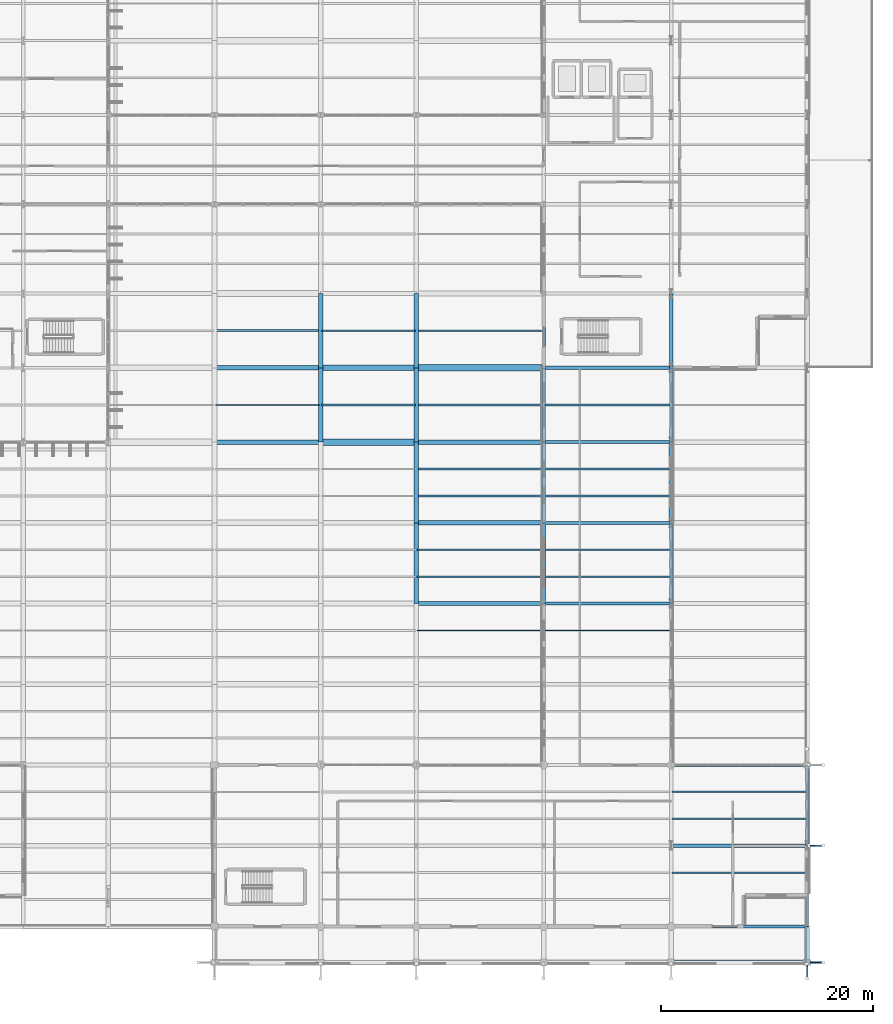
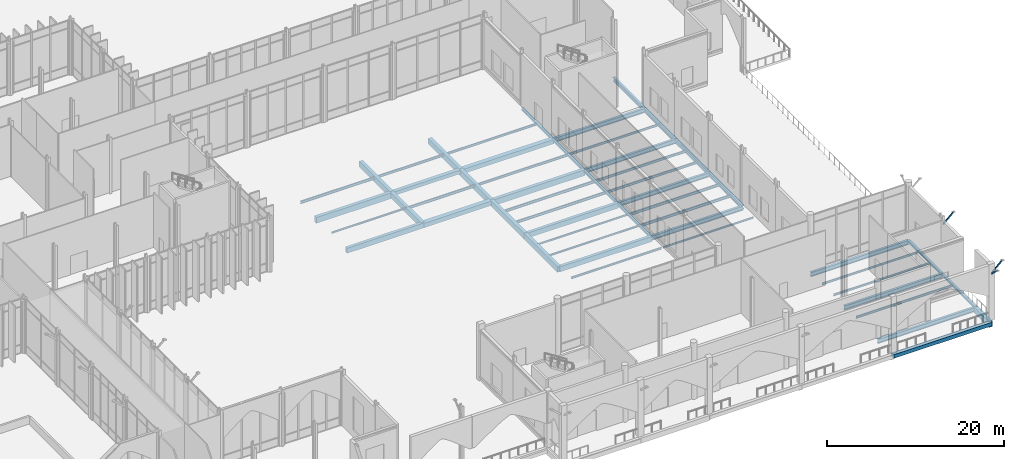
# One storey, part 90 of 176: 53 beams, 3 members.
"""IFC4 building model written with IfcOpenShell, lengths in metres."""

from ifc_helpers import new_model, si_unit, direction, frame, origin, origin_2d, place, context, subcontext, project, spatial, rectangle, hollow_rectangle, i_section, extrude, material, material_profile, profile_set, type_object, element, save


model = new_model("IFC4")

# Units and contexts
model_context = context("Model", 3, precision=1e-05, world=origin(), true_north=direction((0.0, 1.0)))
body_context = subcontext(model_context, "Body", "Model", "MODEL_VIEW")
ifc_project = project(units=[si_unit("LENGTHUNIT", "METRE"), si_unit("AREAUNIT", "SQUARE_METRE"), si_unit("VOLUMEUNIT", "CUBIC_METRE"), si_unit("PLANEANGLEUNIT", "RADIAN"), si_unit("MASSUNIT", "GRAM", prefix="KILO")], contexts=[model_context])

# Site, building, storey
site_placement = place(None, origin())
site = spatial("IfcSite", under=ifc_project, at=site_placement, CompositionType="ELEMENT")
building_placement = place(site_placement, origin())
building = spatial("IfcBuilding", under=site, at=building_placement, Name="Vekula Escarpment Museum", CompositionType="ELEMENT")
storey_placement = place(building_placement, origin())
storey = spatial("IfcBuildingStorey", under=building, at=storey_placement, Name="L01", CompositionType="ELEMENT", Elevation=0.0)

# Beams
ifc_material_1 = material(Name="Steel S355", Category="steel")
ifc_material_profile_1 = material_profile(ifc_material_1, i_section(OverallWidth=0.300048828125, OverallDepth=0.550048828125, WebThickness=0.014892578125, FlangeThickness=0.029052734375, FilletRadius=0.027099609375, at=origin_2d()), Name="HEB 550")
ifc_profile_set_1 = profile_set([ifc_material_profile_1], Name="Steel S355")
beam_type_1 = type_object("IfcBeamType", Name="BM-GIRD-HEB550", PredefinedType="BEAM", material=ifc_profile_set_1)
for number, where, z_axis, x_axis, name in (
    (1, (179.0, 30.39990234375, -0.574951171875), (0.0, 1.0, 0.0), (-1.0, 0.0, 0.0), "Beam Y L01 0748"),
    (2, (179.0, 38.0, -0.574951171875), (0.0, 1.0, 0.0), (-1.0, 0.0, 0.0), "Beam Y L01 0749"),
):
    element("IfcBeam", number, at=place(storey_placement, frame(where, z_axis=z_axis, x_axis=x_axis)), inside=storey, type_object=beam_type_1, Name=name, PredefinedType="BEAM", context=body_context, shape_type="SweptSolid", body=[
        extrude(i_section(OverallWidth=0.300048828125, OverallDepth=0.550048828125, WebThickness=0.014892578125, FlangeThickness=0.029052734375, FilletRadius=0.027099609375, at=origin_2d()), origin(), (0.0, 0.0, 1.0), 7.60009765625),
    ])
for number, where, z_axis, x_axis, name in (
    (3, (179.0, 45.60009765625, -0.574951171875), (0.0, 1.0, 0.0), (-1.0, 0.0, 0.0), "Beam Y L01 0750"),
    (4, (179.0, 52.60009765625, -0.574951171875), (0.0, 1.0, 0.0), (-1.0, 0.0, 0.0), "Beam Y L01 0751"),
):
    element("IfcBeam", number, at=place(storey_placement, frame(where, z_axis=z_axis, x_axis=x_axis)), inside=storey, type_object=beam_type_1, Name=name, PredefinedType="BEAM", context=body_context, shape_type="SweptSolid", body=[
        extrude(i_section(OverallWidth=0.300048828125, OverallDepth=0.550048828125, WebThickness=0.014892578125, FlangeThickness=0.029052734375, FilletRadius=0.027099609375, at=origin_2d()), origin(), (0.0, 0.0, 1.0), 7.0),
    ])
ifc_material_2 = material(Name="Steel S355", Category="steel")
ifc_material_profile_2 = material_profile(ifc_material_2, i_section(OverallWidth=0.300048828125, OverallDepth=0.60009765625, WebThickness=0.015380859375, FlangeThickness=0.030029296875, FilletRadius=0.027099609375, at=origin_2d()), Name="HEB 600")
ifc_profile_set_2 = profile_set([ifc_material_profile_2], Name="Steel S355")
beam_type_2 = type_object("IfcBeamType", Name="BM-GIRD-HEB600", PredefinedType="BEAM", material=ifc_profile_set_2)
for number, where, z_axis, x_axis, name in (
    (5, (179.0, 0.0, -0.60009765625), (1.0, 0.0, 0.0), (0.0, 1.0, 0.0), "Beam X L01 0029"),
    (6, (179.0, 7.60009765625, -0.60009765625), (1.0, 0.0, 0.0), (0.0, 1.0, 0.0), "Beam X L01 0048"),
    (7, (179.0, 15.199951171875, -0.60009765625), (1.0, 0.0, 0.0), (0.0, 1.0, 0.0), "Beam X L01 0067"),
):
    element("IfcBeam", number, at=place(storey_placement, frame(where, z_axis=z_axis, x_axis=x_axis)), inside=storey, type_object=beam_type_2, Name=name, PredefinedType="BEAM", context=body_context, shape_type="SweptSolid", body=[
        extrude(i_section(OverallWidth=0.300048828125, OverallDepth=0.60009765625, WebThickness=0.015380859375, FlangeThickness=0.030029296875, FilletRadius=0.027099609375, at=origin_2d()), origin(), (0.0, 0.0, 1.0), 12.800048828125),
    ])
for number, where, z_axis, x_axis, name in (
    (8, (167.0, 30.39990234375, -0.60009765625), (1.0, 0.0, 0.0), (0.0, 1.0, 0.0), "Beam X L01 0098"),
    (9, (167.0, 38.0, -0.60009765625), (1.0, 0.0, 0.0), (0.0, 1.0, 0.0), "Beam X L01 0117"),
    (10, (167.0, 45.60009765625, -0.60009765625), (1.0, 0.0, 0.0), (0.0, 1.0, 0.0), "Beam X L01 0136"),
    (11, (167.0, 52.60009765625, -0.60009765625), (1.0, 0.0, 0.0), (0.0, 1.0, 0.0), "Beam X L01 0157"),
):
    element("IfcBeam", number, at=place(storey_placement, frame(where, z_axis=z_axis, x_axis=x_axis)), inside=storey, type_object=beam_type_2, Name=name, PredefinedType="BEAM", context=body_context, shape_type="SweptSolid", body=[
        extrude(i_section(OverallWidth=0.300048828125, OverallDepth=0.60009765625, WebThickness=0.015380859375, FlangeThickness=0.030029296875, FilletRadius=0.027099609375, at=origin_2d()), origin(), (0.0, 0.0, 1.0), 12.0),
    ])
ifc_material_3 = material(Name="Steel S355", Category="steel")
ifc_material_profile_3 = material_profile(ifc_material_3, i_section(OverallWidth=0.1201171875, OverallDepth=0.239990234375, WebThickness=0.006103515625, FlangeThickness=0.009765625, FilletRadius=0.014892578125, at=origin_2d()), Name="IPE 240")
ifc_profile_set_3 = profile_set([ifc_material_profile_3], Name="Steel S355")
beam_type_3 = type_object("IfcBeamType", Name="BM-JST-IPE240", PredefinedType="JOIST", material=ifc_profile_set_3)
beam_1_placement = place(storey_placement, frame((136.090087890625, 49.10009765625, -0.419921875), z_axis=(1.0, 0.0, 0.0), x_axis=(0.0, 1.0, 0.0)))
element("IfcBeam", 12, at=beam_1_placement, inside=storey, type_object=beam_type_3, Name="Secondary Joist L01 0455", PredefinedType="JOIST", context=body_context, shape_type="SweptSolid", body=[
    extrude(i_section(OverallWidth=0.1201171875, OverallDepth=0.239990234375, WebThickness=0.006103515625, FlangeThickness=0.009765625, FilletRadius=0.014892578125, at=origin_2d()), origin(), (0.0, 0.0, 1.0), 9.81982421875),
])
for number, where, z_axis, x_axis, name in (
    (13, (155.090087890625, 32.933349609375, -0.419921875), (1.0, 0.0, 0.0), (0.0, 1.0, 0.0), "Secondary Joist L01 0515"),
    (14, (155.090087890625, 35.466796875, -0.419921875), (1.0, 0.0, 0.0), (0.0, 1.0, 0.0), "Secondary Joist L01 0516"),
    (15, (167.090087890625, 27.86669921875, -0.419921875), (1.0, 0.0, 0.0), (0.0, 1.0, 0.0), "Secondary Joist L01 0546"),
):
    element("IfcBeam", number, at=place(storey_placement, frame(where, z_axis=z_axis, x_axis=x_axis)), inside=storey, type_object=beam_type_3, Name=name, PredefinedType="JOIST", context=body_context, shape_type="SweptSolid", body=[
        extrude(i_section(OverallWidth=0.1201171875, OverallDepth=0.239990234375, WebThickness=0.006103515625, FlangeThickness=0.009765625, FilletRadius=0.014892578125, at=origin_2d()), origin(), (0.0, 0.0, 1.0), 11.81982421875),
    ])
ifc_material_4 = material(Name="Steel S355", Category="steel")
ifc_material_profile_4 = material_profile(ifc_material_4, i_section(OverallWidth=0.135009765625, OverallDepth=0.27001953125, WebThickness=0.006591796875, FlangeThickness=0.01025390625, FilletRadius=0.014892578125, at=origin_2d()), Name="IPE 270")
ifc_profile_set_4 = profile_set([ifc_material_profile_4], Name="Steel S355")
beam_type_4 = type_object("IfcBeamType", Name="BM-JST-IPE270", PredefinedType="JOIST", material=ifc_profile_set_4)
beam_2_placement = place(storey_placement, frame((155.090087890625, 27.86669921875, -0.43505859375), z_axis=(1.0, 0.0, 0.0), x_axis=(0.0, 1.0, 0.0)))
element("IfcBeam", 16, at=beam_2_placement, inside=storey, type_object=beam_type_4, Name="Secondary Joist L01 0514", PredefinedType="JOIST", context=body_context, shape_type="SweptSolid", body=[
    extrude(i_section(OverallWidth=0.135009765625, OverallDepth=0.27001953125, WebThickness=0.006591796875, FlangeThickness=0.01025390625, FilletRadius=0.014892578125, at=origin_2d()), origin(), (0.0, 0.0, 1.0), 11.81982421875),
])
for number, where, z_axis, x_axis, name in (
    (17, (179.090087890625, 10.13330078125, -0.43505859375), (1.0, 0.0, 0.0), (0.0, 1.0, 0.0), "Secondary Joist L01 0568"),
    (18, (179.090087890625, 12.666748046875, -0.43505859375), (1.0, 0.0, 0.0), (0.0, 1.0, 0.0), "Secondary Joist L01 0569"),
):
    element("IfcBeam", number, at=place(storey_placement, frame(where, z_axis=z_axis, x_axis=x_axis)), inside=storey, type_object=beam_type_4, Name=name, PredefinedType="JOIST", context=body_context, shape_type="SweptSolid", body=[
        extrude(i_section(OverallWidth=0.135009765625, OverallDepth=0.27001953125, WebThickness=0.006591796875, FlangeThickness=0.01025390625, FilletRadius=0.014892578125, at=origin_2d()), origin(), (0.0, 0.0, 1.0), 12.619873046875),
    ])
ifc_material_5 = material(Name="Steel S355", Category="steel")
ifc_material_profile_5 = material_profile(ifc_material_5, i_section(OverallWidth=0.14990234375, OverallDepth=0.300048828125, WebThickness=0.007080078125, FlangeThickness=0.0107421875, FilletRadius=0.014892578125, at=origin_2d()), Name="IPE 300")
ifc_profile_set_5 = profile_set([ifc_material_profile_5], Name="Steel S355")
beam_type_5 = type_object("IfcBeamType", Name="BM-JST-IPE300", PredefinedType="JOIST", material=ifc_profile_set_5)
for number, where, z_axis, x_axis, name in (
    (19, (155.090087890625, 56.10009765625, -0.449951171875), (1.0, 0.0, 0.0), (0.0, 1.0, 0.0), "Secondary Joist L01 0520"),
    (20, (167.090087890625, 49.10009765625, -0.449951171875), (1.0, 0.0, 0.0), (0.0, 1.0, 0.0), "Secondary Joist L01 0551"),
):
    element("IfcBeam", number, at=place(storey_placement, frame(where, z_axis=z_axis, x_axis=x_axis)), inside=storey, type_object=beam_type_5, Name=name, PredefinedType="JOIST", context=body_context, shape_type="SweptSolid", body=[
        extrude(i_section(OverallWidth=0.14990234375, OverallDepth=0.300048828125, WebThickness=0.007080078125, FlangeThickness=0.0107421875, FilletRadius=0.014892578125, at=origin_2d()), origin(), (0.0, 0.0, 1.0), 11.81982421875),
    ])
beam_3_placement = place(storey_placement, frame((179.090087890625, 5.066650390625, -0.449951171875), z_axis=(1.0, 0.0, 0.0), x_axis=(0.0, 1.0, 0.0)))
element("IfcBeam", 21, at=beam_3_placement, inside=storey, type_object=beam_type_5, Name="Secondary Joist L01 0567", PredefinedType="JOIST", context=body_context, shape_type="SweptSolid", body=[
    extrude(i_section(OverallWidth=0.14990234375, OverallDepth=0.300048828125, WebThickness=0.007080078125, FlangeThickness=0.0107421875, FilletRadius=0.014892578125, at=origin_2d()), origin(), (0.0, 0.0, 1.0), 12.619873046875),
])
ifc_material_6 = material(Name="Steel S355", Category="steel")
ifc_material_profile_6 = material_profile(ifc_material_6, i_section(OverallWidth=0.159912109375, OverallDepth=0.330078125, WebThickness=0.007568359375, FlangeThickness=0.011474609375, FilletRadius=0.01806640625, at=origin_2d()), Name="IPE 330")
ifc_profile_set_6 = profile_set([ifc_material_profile_6], Name="Steel S355")
beam_type_6 = type_object("IfcBeamType", Name="BM-JST-IPE330", PredefinedType="JOIST", material=ifc_profile_set_6)
beam_4_placement = place(storey_placement, frame((146.090087890625, 56.10009765625, -0.465087890625), z_axis=(1.0, 0.0, 0.0), x_axis=(0.0, 1.0, 0.0)))
element("IfcBeam", 22, at=beam_4_placement, inside=storey, type_object=beam_type_6, Name="Secondary Joist L01 0488", PredefinedType="JOIST", context=body_context, shape_type="SweptSolid", body=[
    extrude(i_section(OverallWidth=0.159912109375, OverallDepth=0.330078125, WebThickness=0.007568359375, FlangeThickness=0.011474609375, FilletRadius=0.01806640625, at=origin_2d()), origin(), (0.0, 0.0, 1.0), 8.81982421875),
])
for number, where, z_axis, x_axis, name in (
    (23, (155.090087890625, 49.10009765625, -0.465087890625), (1.0, 0.0, 0.0), (0.0, 1.0, 0.0), "Secondary Joist L01 0519"),
    (24, (167.090087890625, 40.533203125, -0.465087890625), (1.0, 0.0, 0.0), (0.0, 1.0, 0.0), "Secondary Joist L01 0549"),
    (25, (167.090087890625, 43.066650390625, -0.465087890625), (1.0, 0.0, 0.0), (0.0, 1.0, 0.0), "Secondary Joist L01 0550"),
):
    element("IfcBeam", number, at=place(storey_placement, frame(where, z_axis=z_axis, x_axis=x_axis)), inside=storey, type_object=beam_type_6, Name=name, PredefinedType="JOIST", context=body_context, shape_type="SweptSolid", body=[
        extrude(i_section(OverallWidth=0.159912109375, OverallDepth=0.330078125, WebThickness=0.007568359375, FlangeThickness=0.011474609375, FilletRadius=0.01806640625, at=origin_2d()), origin(), (0.0, 0.0, 1.0), 11.81982421875),
    ])
ifc_material_7 = material(Name="Steel S355", Category="steel")
ifc_material_profile_7 = material_profile(ifc_material_7, i_section(OverallWidth=0.169921875, OverallDepth=0.360107421875, WebThickness=0.008056640625, FlangeThickness=0.0126953125, FilletRadius=0.01806640625, at=origin_2d()), Name="IPE 360")
ifc_profile_set_7 = profile_set([ifc_material_profile_7], Name="Steel S355")
beam_type_7 = type_object("IfcBeamType", Name="BM-JST-IPE360", PredefinedType="JOIST", material=ifc_profile_set_7)
beam_5_placement = place(storey_placement, frame((136.090087890625, 56.10009765625, -0.47998046875), z_axis=(1.0, 0.0, 0.0), x_axis=(0.0, 1.0, 0.0)))
element("IfcBeam", 26, at=beam_5_placement, inside=storey, type_object=beam_type_7, Name="Secondary Joist L01 0456", PredefinedType="JOIST", context=body_context, shape_type="SweptSolid", body=[
    extrude(i_section(OverallWidth=0.169921875, OverallDepth=0.360107421875, WebThickness=0.008056640625, FlangeThickness=0.0126953125, FilletRadius=0.01806640625, at=origin_2d()), origin(), (0.0, 0.0, 1.0), 9.81982421875),
])
beam_6_placement = place(storey_placement, frame((146.090087890625, 49.10009765625, -0.47998046875), z_axis=(1.0, 0.0, 0.0), x_axis=(0.0, 1.0, 0.0)))
element("IfcBeam", 27, at=beam_6_placement, inside=storey, type_object=beam_type_7, Name="Secondary Joist L01 0487", PredefinedType="JOIST", context=body_context, shape_type="SweptSolid", body=[
    extrude(i_section(OverallWidth=0.169921875, OverallDepth=0.360107421875, WebThickness=0.008056640625, FlangeThickness=0.0126953125, FilletRadius=0.01806640625, at=origin_2d()), origin(), (0.0, 0.0, 1.0), 8.81982421875),
])
for number, where, z_axis, x_axis, name in (
    (28, (155.090087890625, 40.533203125, -0.47998046875), (1.0, 0.0, 0.0), (0.0, 1.0, 0.0), "Secondary Joist L01 0517"),
    (29, (155.090087890625, 43.066650390625, -0.47998046875), (1.0, 0.0, 0.0), (0.0, 1.0, 0.0), "Secondary Joist L01 0518"),
    (30, (167.090087890625, 32.933349609375, -0.47998046875), (1.0, 0.0, 0.0), (0.0, 1.0, 0.0), "Secondary Joist L01 0547"),
    (31, (167.090087890625, 35.466796875, -0.47998046875), (1.0, 0.0, 0.0), (0.0, 1.0, 0.0), "Secondary Joist L01 0548"),
):
    element("IfcBeam", number, at=place(storey_placement, frame(where, z_axis=z_axis, x_axis=x_axis)), inside=storey, type_object=beam_type_7, Name=name, PredefinedType="JOIST", context=body_context, shape_type="SweptSolid", body=[
        extrude(i_section(OverallWidth=0.169921875, OverallDepth=0.360107421875, WebThickness=0.008056640625, FlangeThickness=0.0126953125, FilletRadius=0.01806640625, at=origin_2d()), origin(), (0.0, 0.0, 1.0), 11.81982421875),
    ])
ifc_material_8 = material(Name="Concrete C35/45", Category="concrete")
ifc_material_profile_8 = material_profile(ifc_material_8, rectangle(XDim=0.449951171875, YDim=0.800048828125, at=origin_2d()), Name="RC 450x800")
ifc_profile_set_8 = profile_set([ifc_material_profile_8], Name="Concrete C35/45")
beam_type_8 = type_object("IfcBeamType", Name="BM-PLINTH-RC", PredefinedType="BEAM", material=ifc_profile_set_8)
beam_7_placement = place(storey_placement, frame((155.0, 45.60009765625, -0.699951171875), z_axis=(1.0, 0.0, 0.0), x_axis=(0.0, 1.0, 0.0)))
element("IfcBeam", 32, at=beam_7_placement, inside=storey, type_object=beam_type_8, Name="Beam X L01 0135", PredefinedType="BEAM", context=body_context, shape_type="SweptSolid", body=[
    extrude(rectangle(XDim=0.449951171875, YDim=0.800048828125, at=origin_2d()), origin(), (0.0, 0.0, 1.0), 12.0),
])
beam_8_placement = place(storey_placement, frame((136.0, 52.60009765625, -0.699951171875), z_axis=(1.0, 0.0, 0.0), x_axis=(0.0, 1.0, 0.0)))
element("IfcBeam", 33, at=beam_8_placement, inside=storey, type_object=beam_type_8, Name="Beam X L01 0154", PredefinedType="BEAM", context=body_context, shape_type="SweptSolid", body=[
    extrude(rectangle(XDim=0.449951171875, YDim=0.800048828125, at=origin_2d()), origin(), (0.0, 0.0, 1.0), 10.0),
])
for number, where, z_axis, x_axis, name in (
    (34, (146.0, 45.60009765625, -0.699951171875), (0.0, 1.0, 0.0), (-1.0, 0.0, 0.0), "Beam Y L01 0693"),
    (35, (146.0, 52.60009765625, -0.699951171875), (0.0, 1.0, 0.0), (-1.0, 0.0, 0.0), "Beam Y L01 0694"),
):
    element("IfcBeam", number, at=place(storey_placement, frame(where, z_axis=z_axis, x_axis=x_axis)), inside=storey, type_object=beam_type_8, Name=name, PredefinedType="BEAM", context=body_context, shape_type="SweptSolid", body=[
        extrude(rectangle(XDim=0.449951171875, YDim=0.800048828125, at=origin_2d()), origin(), (0.0, 0.0, 1.0), 7.0),
    ])
for number, where, z_axis, x_axis, name in (
    (36, (155.0, 30.39990234375, -0.699951171875), (0.0, 1.0, 0.0), (-1.0, 0.0, 0.0), "Beam Y L01 0710"),
    (37, (155.0, 38.0, -0.699951171875), (0.0, 1.0, 0.0), (-1.0, 0.0, 0.0), "Beam Y L01 0711"),
):
    element("IfcBeam", number, at=place(storey_placement, frame(where, z_axis=z_axis, x_axis=x_axis)), inside=storey, type_object=beam_type_8, Name=name, PredefinedType="BEAM", context=body_context, shape_type="SweptSolid", body=[
        extrude(rectangle(XDim=0.449951171875, YDim=0.800048828125, at=origin_2d()), origin(), (0.0, 0.0, 1.0), 7.60009765625),
    ])
for number, where, z_axis, x_axis, name in (
    (38, (155.0, 45.60009765625, -0.699951171875), (0.0, 1.0, 0.0), (-1.0, 0.0, 0.0), "Beam Y L01 0712"),
    (39, (155.0, 52.60009765625, -0.699951171875), (0.0, 1.0, 0.0), (-1.0, 0.0, 0.0), "Beam Y L01 0713"),
):
    element("IfcBeam", number, at=place(storey_placement, frame(where, z_axis=z_axis, x_axis=x_axis)), inside=storey, type_object=beam_type_8, Name=name, PredefinedType="BEAM", context=body_context, shape_type="SweptSolid", body=[
        extrude(rectangle(XDim=0.449951171875, YDim=0.800048828125, at=origin_2d()), origin(), (0.0, 0.0, 1.0), 7.0),
    ])
beam_9_placement = place(storey_placement, frame((191.800048828125, -3.39990234375, -0.699951171875), z_axis=(0.0, 1.0, 0.0), x_axis=(-1.0, 0.0, 0.0)))
element("IfcBeam", 40, at=beam_9_placement, inside=storey, type_object=beam_type_8, Name="Beam Y L01 0762", PredefinedType="BEAM", context=body_context, shape_type="SweptSolid", body=[
    extrude(rectangle(XDim=0.449951171875, YDim=0.800048828125, at=origin_2d()), origin(), (0.0, 0.0, 1.0), 3.39990234375),
])
ifc_material_9 = material(Name="Concrete C35/45", Category="concrete")
ifc_material_profile_9 = material_profile(ifc_material_9, rectangle(XDim=0.39990234375, YDim=0.699951171875, at=origin_2d()), Name="RC 400x700")
ifc_profile_set_9 = profile_set([ifc_material_profile_9], Name="Concrete C35/45")
beam_type_9 = type_object("IfcBeamType", Name="BM-PLINTH-RC2", PredefinedType="BEAM", material=ifc_profile_set_9)
for number, where, z_axis, x_axis, name in (
    (41, (155.0, 30.39990234375, -0.64990234375), (1.0, 0.0, 0.0), (0.0, 1.0, 0.0), "Beam X L01 0097"),
    (42, (155.0, 38.0, -0.64990234375), (1.0, 0.0, 0.0), (0.0, 1.0, 0.0), "Beam X L01 0116"),
):
    element("IfcBeam", number, at=place(storey_placement, frame(where, z_axis=z_axis, x_axis=x_axis)), inside=storey, type_object=beam_type_9, Name=name, PredefinedType="BEAM", context=body_context, shape_type="SweptSolid", body=[
        extrude(rectangle(XDim=0.39990234375, YDim=0.699951171875, at=origin_2d()), origin(), (0.0, 0.0, 1.0), 12.0),
    ])
beam_10_placement = place(storey_placement, frame((136.0, 45.60009765625, -0.64990234375), z_axis=(1.0, 0.0, 0.0), x_axis=(0.0, 1.0, 0.0)))
element("IfcBeam", 43, at=beam_10_placement, inside=storey, type_object=beam_type_9, Name="Beam X L01 0133", PredefinedType="BEAM", context=body_context, shape_type="SweptSolid", body=[
    extrude(rectangle(XDim=0.39990234375, YDim=0.699951171875, at=origin_2d()), origin(), (0.0, 0.0, 1.0), 10.0),
])
ifc_material_10 = material(Name="Concrete C35/45", Category="concrete")
ifc_material_profile_10 = material_profile(ifc_material_10, rectangle(XDim=0.5, YDim=0.5, at=origin_2d()), Name="RC 500x500")
ifc_profile_set_10 = profile_set([ifc_material_profile_10], Name="Concrete C35/45")
beam_type_10 = type_object("IfcBeamType", Name="BM-PLINTH-RC3", PredefinedType="BEAM", material=ifc_profile_set_10)
beam_11_placement = place(storey_placement, frame((179.0, -3.39990234375, -0.550048828125), z_axis=(1.0, 0.0, 0.0), x_axis=(0.0, 1.0, 0.0)))
element("IfcBeam", 44, at=beam_11_placement, inside=storey, type_object=beam_type_10, Name="Beam X L01 0005", PredefinedType="BEAM", context=body_context, shape_type="SweptSolid", body=[
    extrude(rectangle(XDim=0.5, YDim=0.5, at=origin_2d()), origin(), (0.0, 0.0, 1.0), 12.800048828125),
])
beam_12_placement = place(storey_placement, frame((146.0, 52.60009765625, -0.550048828125), z_axis=(1.0, 0.0, 0.0), x_axis=(0.0, 1.0, 0.0)))
element("IfcBeam", 45, at=beam_12_placement, inside=storey, type_object=beam_type_10, Name="Beam X L01 0155", PredefinedType="BEAM", context=body_context, shape_type="SweptSolid", body=[
    extrude(rectangle(XDim=0.5, YDim=0.5, at=origin_2d()), origin(), (0.0, 0.0, 1.0), 9.0),
])
ifc_material_11 = material(Name="Concrete C35/45", Category="concrete")
ifc_material_profile_11 = material_profile(ifc_material_11, rectangle(XDim=0.60009765625, YDim=0.60009765625, at=origin_2d()), Name="RC 600x600")
ifc_profile_set_11 = profile_set([ifc_material_profile_11], Name="Concrete C35/45")
beam_type_11 = type_object("IfcBeamType", Name="BM-PLINTH-RC4", PredefinedType="BEAM", material=ifc_profile_set_11)
beam_13_placement = place(storey_placement, frame((146.0, 45.60009765625, -0.60009765625), z_axis=(1.0, 0.0, 0.0), x_axis=(0.0, 1.0, 0.0)))
element("IfcBeam", 46, at=beam_13_placement, inside=storey, type_object=beam_type_11, Name="Beam X L01 0134", PredefinedType="BEAM", context=body_context, shape_type="SweptSolid", body=[
    extrude(rectangle(XDim=0.60009765625, YDim=0.60009765625, at=origin_2d()), origin(), (0.0, 0.0, 1.0), 9.0),
])
beam_14_placement = place(storey_placement, frame((155.0, 52.60009765625, -0.60009765625), z_axis=(1.0, 0.0, 0.0), x_axis=(0.0, 1.0, 0.0)))
element("IfcBeam", 47, at=beam_14_placement, inside=storey, type_object=beam_type_11, Name="Beam X L01 0156", PredefinedType="BEAM", context=body_context, shape_type="SweptSolid", body=[
    extrude(rectangle(XDim=0.60009765625, YDim=0.60009765625, at=origin_2d()), origin(), (0.0, 0.0, 1.0), 12.0),
])
ifc_material_12 = material(Name="Steel S355", Category="steel")
ifc_material_profile_12 = material_profile(ifc_material_12, i_section(OverallWidth=0.300048828125, OverallDepth=0.2900390625, WebThickness=0.008544921875, FlangeThickness=0.013916015625, FilletRadius=0.027099609375, at=origin_2d()), Name="HEA 300")
ifc_profile_set_12 = profile_set([ifc_material_profile_12], Name="Steel S355")
beam_type_12 = type_object("IfcBeamType", Name="BM-SPAN-HEA300", PredefinedType="SPANDREL", material=ifc_profile_set_12)
for number, where, z_axis, x_axis, name in (
    (48, (167.0, 30.39990234375, -0.445068359375), (0.0, 1.0, 0.0), (-1.0, 0.0, 0.0), "Beam Y L01 0729"),
    (49, (167.0, 38.0, -0.445068359375), (0.0, 1.0, 0.0), (-1.0, 0.0, 0.0), "Beam Y L01 0730"),
):
    element("IfcBeam", number, at=place(storey_placement, frame(where, z_axis=z_axis, x_axis=x_axis)), inside=storey, type_object=beam_type_12, Name=name, PredefinedType="SPANDREL", context=body_context, shape_type="SweptSolid", body=[
        extrude(i_section(OverallWidth=0.300048828125, OverallDepth=0.2900390625, WebThickness=0.008544921875, FlangeThickness=0.013916015625, FilletRadius=0.027099609375, at=origin_2d()), origin(), (0.0, 0.0, 1.0), 7.60009765625),
    ])
for number, where, z_axis, x_axis, name in (
    (50, (167.0, 45.60009765625, -0.445068359375), (0.0, 1.0, 0.0), (-1.0, 0.0, 0.0), "Beam Y L01 0731"),
    (51, (167.0, 52.60009765625, -0.445068359375), (0.0, 1.0, 0.0), (-1.0, 0.0, 0.0), "Beam Y L01 0732"),
):
    element("IfcBeam", number, at=place(storey_placement, frame(where, z_axis=z_axis, x_axis=x_axis)), inside=storey, type_object=beam_type_12, Name=name, PredefinedType="SPANDREL", context=body_context, shape_type="SweptSolid", body=[
        extrude(i_section(OverallWidth=0.300048828125, OverallDepth=0.2900390625, WebThickness=0.008544921875, FlangeThickness=0.013916015625, FilletRadius=0.027099609375, at=origin_2d()), origin(), (0.0, 0.0, 1.0), 7.0),
    ])
beam_15_placement = place(storey_placement, frame((191.800048828125, 0.0, -0.445068359375), z_axis=(0.0, 1.0, 0.0), x_axis=(-1.0, 0.0, 0.0)))
element("IfcBeam", 52, at=beam_15_placement, inside=storey, type_object=beam_type_12, Name="Beam Y L01 0763", PredefinedType="SPANDREL", context=body_context, shape_type="SweptSolid", body=[
    extrude(i_section(OverallWidth=0.300048828125, OverallDepth=0.2900390625, WebThickness=0.008544921875, FlangeThickness=0.013916015625, FilletRadius=0.027099609375, at=origin_2d()), origin(), (0.0, 0.0, 1.0), 7.60009765625),
])
beam_16_placement = place(storey_placement, frame((191.800048828125, 7.60009765625, -0.445068359375), z_axis=(0.0, 1.0, 0.0), x_axis=(-1.0, 0.0, 0.0)))
element("IfcBeam", 53, at=beam_16_placement, inside=storey, type_object=beam_type_12, Name="Beam Y L01 0764", PredefinedType="SPANDREL", context=body_context, shape_type="SweptSolid", body=[
    extrude(i_section(OverallWidth=0.300048828125, OverallDepth=0.2900390625, WebThickness=0.008544921875, FlangeThickness=0.013916015625, FilletRadius=0.027099609375, at=origin_2d()), origin(), (0.0, 0.0, 1.0), 7.599853515625),
])

# Members
ifc_material_13 = material(Name="Steel S355", Category="steel")
ifc_material_profile_13 = material_profile(ifc_material_13, hollow_rectangle(XDim=0.10009765625, YDim=0.199951171875, WallThickness=0.008056640625, InnerFilletRadius=0.008056640625, OuterFilletRadius=0.01611328125, at=origin_2d()), Name="RHS 200x100x8")
ifc_profile_set_13 = profile_set([ifc_material_profile_13], Name="Steel S355")
member_type = type_object("IfcMemberType", Name="MB-SACAK-BRK", PredefinedType="STRUT", material=ifc_profile_set_13)
member_1_placement = place(storey_placement, frame((191.919921875, -3.39990234375, 6.35009765625), z_axis=(0.738513776389, 0.0, 0.674238386688), x_axis=(0.0, 1.0, 0.0)))
element("IfcMember", 54, at=member_1_placement, inside=storey, type_object=member_type, Name="Ottoman Sacak Eave Bracket L02-0026", PredefinedType="STRUT", context=body_context, shape_type="SweptSolid", body=[
    extrude(hollow_rectangle(XDim=0.10009765625, YDim=0.199951171875, WallThickness=0.008056640625, InnerFilletRadius=0.008056640625, OuterFilletRadius=0.01611328125, at=origin_2d()), origin(), (0.0, 0.0, 1.0), 1.868896484375),
])
member_2_placement = place(storey_placement, frame((191.800048828125, -3.52001953125, 6.35009765625), z_axis=(0.0, -0.738454378718, 0.674303441006), x_axis=(1.0, 0.0, 0.0)))
element("IfcMember", 55, at=member_2_placement, inside=storey, type_object=member_type, Name="Ottoman Sacak Eave Bracket L02-0027", PredefinedType="STRUT", context=body_context, shape_type="SweptSolid", body=[
    extrude(hollow_rectangle(XDim=0.10009765625, YDim=0.199951171875, WallThickness=0.008056640625, InnerFilletRadius=0.008056640625, OuterFilletRadius=0.01611328125, at=origin_2d()), origin(), (0.0, 0.0, 1.0), 1.86865234375),
])
member_3_placement = place(storey_placement, frame((191.919921875, 7.60009765625, 6.35009765625), z_axis=(0.738513776389, 0.0, 0.674238386688), x_axis=(0.0, 1.0, 0.0)))
element("IfcMember", 56, at=member_3_placement, inside=storey, type_object=member_type, Name="Ottoman Sacak Eave Bracket L02-0028", PredefinedType="STRUT", context=body_context, shape_type="SweptSolid", body=[
    extrude(hollow_rectangle(XDim=0.10009765625, YDim=0.199951171875, WallThickness=0.008056640625, InnerFilletRadius=0.008056640625, OuterFilletRadius=0.01611328125, at=origin_2d()), origin(), (0.0, 0.0, 1.0), 1.868896484375),
])

save(model, "model.ifc")
